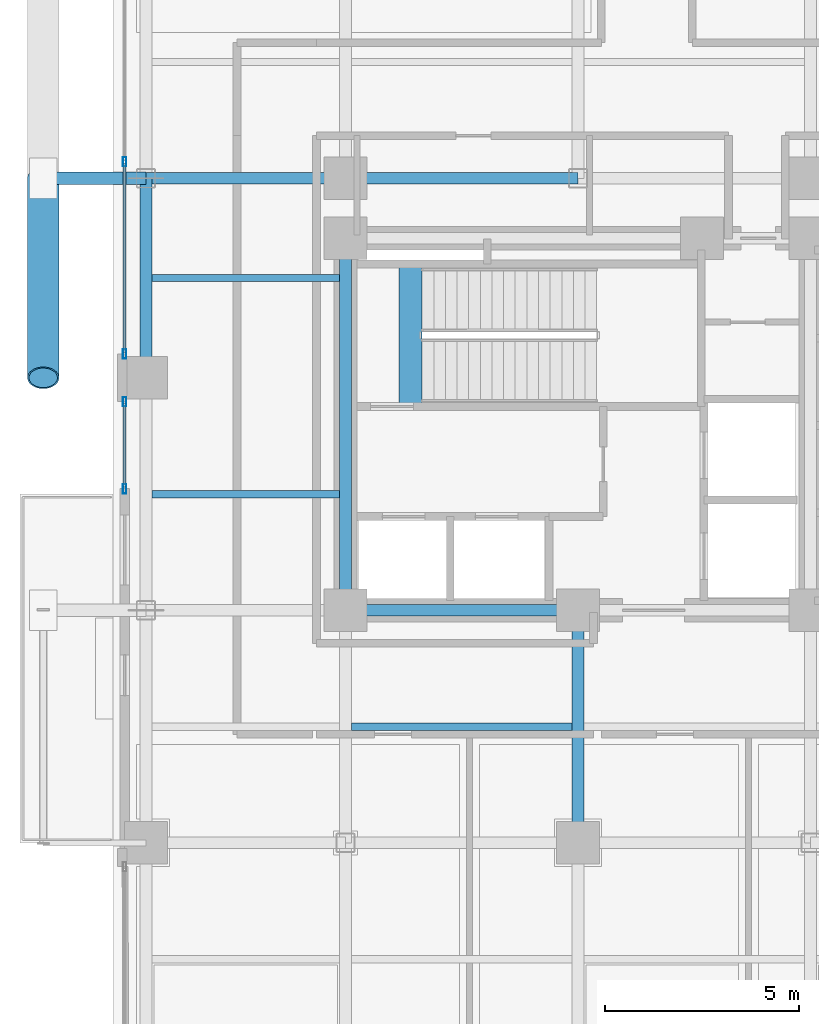
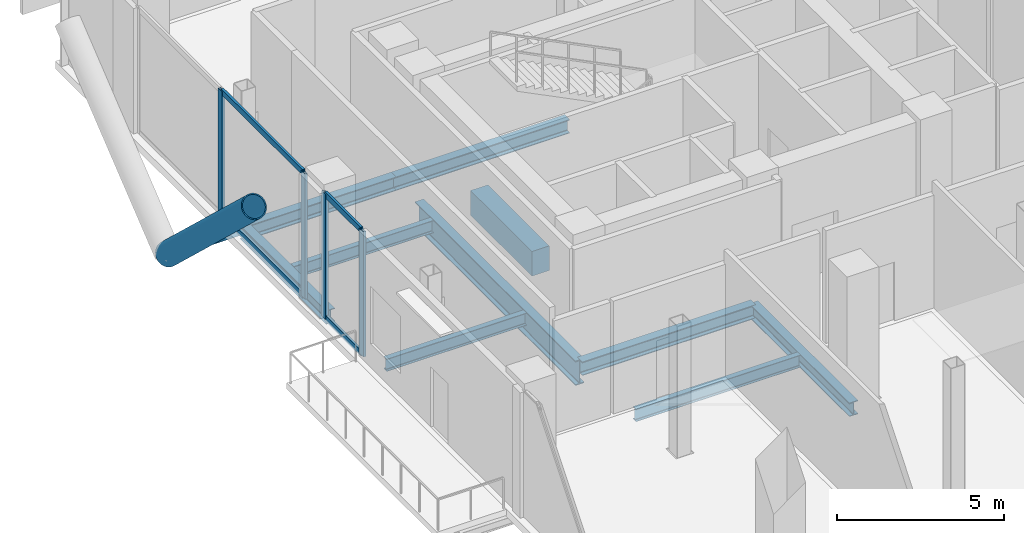
# One storey, part 5 of 25: 10 beams, 10 members, 2 elements without a shape of their own.
"""IFC4 building model written with IfcOpenShell, lengths in metres."""

from ifc_helpers import new_model, si_unit, direction, frame, origin, origin_2d, place, context, subcontext, project, spatial, rectangle, hollow_rectangle, hollow_circle, i_section, extrude, material, layer, layer_set, material_profile, profile_set, type_object, element, aggregate, save


model = new_model("IFC4")

# Units and contexts
model_context = context("Model", 3, precision=1e-05, world=origin(), true_north=direction((0.0, 1.0)))
body_context = subcontext(model_context, "Body", "Model", "MODEL_VIEW")
ifc_project = project(units=[si_unit("LENGTHUNIT", "METRE"), si_unit("AREAUNIT", "SQUARE_METRE"), si_unit("VOLUMEUNIT", "CUBIC_METRE"), si_unit("PLANEANGLEUNIT", "RADIAN"), si_unit("MASSUNIT", "GRAM", prefix="KILO"), si_unit("THERMODYNAMICTEMPERATUREUNIT", "KELVIN"), si_unit("POWERUNIT", "WATT")], contexts=[model_context])

# Site, building, storey
site_placement = place(None, origin())
site = spatial("IfcSite", under=ifc_project, at=site_placement, CompositionType="ELEMENT")
building_placement = place(site_placement, origin())
building = spatial("IfcBuilding", under=site, at=building_placement, Name="Svarakhadi Broadcast Tower", CompositionType="ELEMENT")
storey_placement = place(building_placement, frame((0.0, 0.0, 110.85009765625)))
storey = spatial("IfcBuildingStorey", under=building, at=storey_placement, Name="L26", CompositionType="ELEMENT", Elevation=110.85009765625)

# Beams
ifc_material_1 = material(Name="Steel S355J2 (IS 2062 E350C)", Category="steel")
ifc_material_profile_1 = material_profile(ifc_material_1, i_section(OverallWidth=0.18994140625, OverallDepth=0.449951171875, WebThickness=0.009521484375, FlangeThickness=0.0146484375, FilletRadius=0.02099609375, at=origin_2d()), Name="NPB 450x190x78")
ifc_profile_set_1 = profile_set([ifc_material_profile_1], Name="Steel S355J2 (IS 2062 E350C)")
beam_type_1 = type_object("IfcBeamType", Name="Beam_NPB450", PredefinedType="BEAM", material=ifc_profile_set_1)
for number, where, z_axis, x_axis, name in (
    (1, (1.010009765625, 21.0, -0.5), (1.0, 0.0, 0.0), (0.0, 1.0, 0.0), "L26 Secondary Composite Beam SB003"),
    (2, (1.010009765625, 26.574951171875, -0.5), (1.0, 0.0, 0.0), (0.0, 1.0, 0.0), "L26 Secondary Composite Beam SB004"),
):
    element("IfcBeam", number, at=place(storey_placement, frame(where, z_axis=z_axis, x_axis=x_axis)), inside=storey, type_object=beam_type_1, Name=name, PredefinedType="BEAM", context=body_context, shape_type="SweptSolid", body=[
        extrude(i_section(OverallWidth=0.18994140625, OverallDepth=0.449951171875, WebThickness=0.009521484375, FlangeThickness=0.0146484375, FilletRadius=0.02099609375, at=origin_2d()), origin(), (0.0, 0.0, 1.0), 4.830078125),
    ])
beam_1_placement = place(storey_placement, frame((6.159912109375, 15.0, -0.5), z_axis=(1.0, 0.0, 0.0), x_axis=(0.0, 1.0, 0.0)))
element("IfcBeam", 3, at=beam_1_placement, inside=storey, type_object=beam_type_1, Name="L26 Secondary Composite Beam SB008", PredefinedType="BEAM", context=body_context, shape_type="SweptSolid", body=[
    extrude(i_section(OverallWidth=0.18994140625, OverallDepth=0.449951171875, WebThickness=0.009521484375, FlangeThickness=0.0146484375, FilletRadius=0.02099609375, at=origin_2d()), origin(), (0.0, 0.0, 1.0), 5.68017578125),
])

# Curtain wall, members
ifc_material_2 = material(Name="Anodised Bronze Aluminium AA 6063-T6", Category="aluminium")
ifc_layer = layer(ifc_material_2, 0.239990234375)
ifc_layer_set = layer_set([ifc_layer], Name="Anodised Bronze Aluminium AA 6063-T6")
curtain_wall_type = type_object("IfcCurtainWallType", Name="CW_Sys_06", PredefinedType="NOTDEFINED", material=ifc_layer_set)
curtain_wall_1_placement = place(storey_placement, origin())
curtain_wall_1 = element("IfcCurtainWall", 4, at=curtain_wall_1_placement, inside=storey, type_object=curtain_wall_type, Name="L26 West Curtain Wall 03 Bay 1", PredefinedType="NOTDEFINED")
ifc_material_profile_2 = material_profile(ifc_material_2, hollow_rectangle(XDim=0.090087890625, YDim=0.239990234375, WallThickness=0.006103515625, at=origin_2d()), Name="ALU MULLION 240x90x6")
ifc_profile_set_2 = profile_set([ifc_material_profile_2], Name="Anodised Bronze Aluminium AA 6063-T6")
member_type_1 = type_object("IfcMemberType", Name="CW_Sys_06_Mul", PredefinedType="MULLION", material=ifc_profile_set_2)
member_1_placement = place(storey_placement, frame((0.300048828125, 21.135009765625, 0.0), z_axis=(0.0, 0.0, 1.0), x_axis=(-1.0, 0.0, 0.0)))
member_1 = element("IfcMember", 5, at=member_1_placement, type_object=member_type_1, Name="CW-06 mullion 1", PredefinedType="MULLION", context=body_context, shape_type="SweptSolid", body=[
    extrude(hollow_rectangle(XDim=0.090087890625, YDim=0.239990234375, WallThickness=0.006103515625, at=origin_2d()), origin(), (0.0, 0.0, 1.0), 4.574951171875),
])
member_2_placement = place(storey_placement, frame((0.300048828125, 23.385009765625, 0.0), z_axis=(0.0, 0.0, 1.0), x_axis=(-1.0, 0.0, 0.0)))
member_2 = element("IfcMember", 6, at=member_2_placement, type_object=member_type_1, Name="CW-06 mullion 2", PredefinedType="MULLION", context=body_context, shape_type="SweptSolid", body=[
    extrude(hollow_rectangle(XDim=0.090087890625, YDim=0.239990234375, WallThickness=0.006103515625, at=origin_2d()), origin(), (0.0, 0.0, 1.0), 4.574951171875),
])

curtain_wall_2_placement = place(storey_placement, origin())
curtain_wall_2 = element("IfcCurtainWall", 7, at=curtain_wall_2_placement, inside=storey, type_object=curtain_wall_type, Name="L26 West Curtain Wall 03 Bay 2", PredefinedType="NOTDEFINED")
member_3_placement = place(storey_placement, frame((0.300048828125, 24.614990234375, 0.0), z_axis=(0.0, 0.0, 1.0), x_axis=(-1.0, 0.0, 0.0)))
member_3 = element("IfcMember", 8, at=member_3_placement, type_object=member_type_1, Name="CW-06 mullion 1", PredefinedType="MULLION", context=body_context, shape_type="SweptSolid", body=[
    extrude(hollow_rectangle(XDim=0.090087890625, YDim=0.239990234375, WallThickness=0.006103515625, at=origin_2d()), origin(), (0.0, 0.0, 1.0), 4.574951171875),
])
member_4_placement = place(storey_placement, frame((0.300048828125, 29.574951171875, 0.0), z_axis=(0.0, 0.0, 1.0), x_axis=(-1.0, 0.0, 0.0)))
member_4 = element("IfcMember", 9, at=member_4_placement, type_object=member_type_1, Name="CW-06 mullion 2", PredefinedType="MULLION", context=body_context, shape_type="SweptSolid", body=[
    extrude(hollow_rectangle(XDim=0.090087890625, YDim=0.239990234375, WallThickness=0.006103515625, at=origin_2d()), origin(), (0.0, 0.0, 1.0), 4.574951171875),
])

# Member
ifc_material_profile_3 = material_profile(ifc_material_2, hollow_rectangle(XDim=0.080078125, YDim=0.2099609375, WallThickness=0.0048828125, at=origin_2d()), Name="ALU TRANSOM 210x80x5")
ifc_profile_set_3 = profile_set([ifc_material_profile_3], Name="Anodised Bronze Aluminium AA 6063-T6")
member_type_2 = type_object("IfcMemberType", Name="CW_Sys_06_Trn", PredefinedType="USERDEFINED", material=ifc_profile_set_3)
member_5_placement = place(storey_placement, frame((0.300048828125, 21.179931640625, 0.039794921875), z_axis=(0.0, 1.0, 0.0), x_axis=(-1.0, 0.0, 0.0)))
member_5 = element("IfcMember", 10, at=member_5_placement, type_object=member_type_2, Name="CW-06 transom 1.1", ObjectType="TRANSOM", PredefinedType="USERDEFINED", context=body_context, shape_type="SweptSolid", body=[
    extrude(hollow_rectangle(XDim=0.080078125, YDim=0.2099609375, WallThickness=0.0048828125, at=origin_2d()), origin(), (0.0, 0.0, 1.0), 2.16015625),
])

member_6_placement = place(storey_placement, frame((0.300048828125, 21.179931640625, 4.534912109375), z_axis=(0.0, 1.0, 0.0), x_axis=(-1.0, 0.0, 0.0)))
member_6 = element("IfcMember", 11, at=member_6_placement, type_object=member_type_2, Name="CW-06 transom 1.2", ObjectType="TRANSOM", PredefinedType="USERDEFINED", context=body_context, shape_type="SweptSolid", body=[
    extrude(hollow_rectangle(XDim=0.080078125, YDim=0.2099609375, WallThickness=0.0048828125, at=origin_2d()), origin(), (0.0, 0.0, 1.0), 2.16015625),
])

aggregate(curtain_wall_1, [member_1, member_2, member_5, member_6])

member_7_placement = place(storey_placement, frame((0.300048828125, 24.659912109375, 0.039794921875), z_axis=(0.0, 1.0, 0.0), x_axis=(-1.0, 0.0, 0.0)))
member_7 = element("IfcMember", 12, at=member_7_placement, type_object=member_type_2, Name="CW-06 transom 1.1", ObjectType="TRANSOM", PredefinedType="USERDEFINED", context=body_context, shape_type="SweptSolid", body=[
    extrude(hollow_rectangle(XDim=0.080078125, YDim=0.2099609375, WallThickness=0.0048828125, at=origin_2d()), origin(), (0.0, 0.0, 1.0), 4.8701171875),
])

member_8_placement = place(storey_placement, frame((0.300048828125, 24.659912109375, 4.534912109375), z_axis=(0.0, 1.0, 0.0), x_axis=(-1.0, 0.0, 0.0)))
member_8 = element("IfcMember", 13, at=member_8_placement, type_object=member_type_2, Name="CW-06 transom 1.2", ObjectType="TRANSOM", PredefinedType="USERDEFINED", context=body_context, shape_type="SweptSolid", body=[
    extrude(hollow_rectangle(XDim=0.080078125, YDim=0.2099609375, WallThickness=0.0048828125, at=origin_2d()), origin(), (0.0, 0.0, 1.0), 4.8701171875),
])

aggregate(curtain_wall_2, [member_3, member_4, member_7, member_8])

# Beam
ifc_material_3 = material(Name="Concrete C50/60 (IS 456 M60)", Category="concrete")
ifc_material_profile_4 = material_profile(ifc_material_3, rectangle(XDim=0.60009765625, YDim=0.89990234375, at=origin_2d()), Name="RC 600x900")
ifc_profile_set_4 = profile_set([ifc_material_profile_4], Name="Concrete C50/60 (IS 456 M60)")
beam_type_2 = type_object("IfcBeamType", Name="Coupling_RC600", PredefinedType="USERDEFINED", material=ifc_profile_set_4)
beam_2_placement = place(storey_placement, frame((7.679931640625, 23.260009765625, -0.4501953125), z_axis=(0.0, 1.0, 0.0), x_axis=(-1.0, 0.0, 0.0)))
element("IfcBeam", 14, at=beam_2_placement, inside=storey, type_object=beam_type_2, Name="L26 Stair ST-01 Landing Throat Trimmer Beam CB-01", ObjectType="GIRDER", PredefinedType="USERDEFINED", context=body_context, shape_type="SweptSolid", body=[
    extrude(rectangle(XDim=0.60009765625, YDim=0.89990234375, at=origin_2d()), origin(), (0.0, 0.0, 1.0), 3.679931640625),
])

# Members
ifc_material_4 = material(Name="Steel S460ML (IS 2062 E450BR)", Category="steel")
ifc_material_profile_5 = material_profile(ifc_material_4, hollow_circle(Radius=0.406494140625, WallThickness=0.0400390625, at=origin_2d()), Name="CHS 813x40")
ifc_profile_set_5 = profile_set([ifc_material_profile_5], Name="Steel S460ML (IS 2062 E450BR)")
member_type_3 = type_object("IfcMemberType", Name="Exo_Brace_CHS813", PredefinedType="BRACE", material=ifc_profile_set_5)
member_9_placement = place(storey_placement, frame((-1.800048828125, 29.14990234375, -0.43701171875), z_axis=(0.0, -0.727996308032, 0.685581049543), x_axis=(1.0, 0.0, 0.0)))
element("IfcMember", 15, at=member_9_placement, inside=storey, type_object=member_type_3, Name="L26 Exposed Bronze Exoskeleton Diagonal W04", PredefinedType="BRACE", context=body_context, shape_type="SweptSolid", body=[
    extrude(hollow_circle(Radius=0.406494140625, WallThickness=0.0400390625, at=origin_2d()), origin(), (0.0, 0.0, 1.0), 7.073974609375),
])
ifc_material_profile_6 = material_profile(ifc_material_4, hollow_circle(Radius=0.161865234375, WallThickness=0.01611328125, at=origin_2d()), Name="CHS 323.9x16")
ifc_profile_set_6 = profile_set([ifc_material_profile_6], Name="Steel S460ML (IS 2062 E450BR)")
member_type_4 = type_object("IfcMemberType", Name="Exo_Radial_Strut_Z2", PredefinedType="STRUT", material=ifc_profile_set_6)
member_10_placement = place(storey_placement, frame((-1.800048828125, 29.14990234375, -0.43701171875), z_axis=(1.0, 0.0, 0.0), x_axis=(0.0, 1.0, 0.0)))
element("IfcMember", 16, at=member_10_placement, inside=storey, type_object=member_type_4, Name="L26 Exoskeleton Radial Tie Strut W07", PredefinedType="STRUT", context=body_context, shape_type="SweptSolid", body=[
    extrude(hollow_circle(Radius=0.161865234375, WallThickness=0.01611328125, at=origin_2d()), origin(), (0.0, 0.0, 1.0), 2.650146484375),
])

# Beams
ifc_material_profile_7 = material_profile(ifc_material_1, i_section(OverallWidth=0.300048828125, OverallDepth=0.5, WebThickness=0.014404296875, FlangeThickness=0.028076171875, FilletRadius=0.027099609375, at=origin_2d()), Name="WPB 500x300x187")
ifc_profile_set_7 = profile_set([ifc_material_profile_7], Name="Steel S355J2 (IS 2062 E350C)")
beam_type_3 = type_object("IfcBeamType", Name="Girder_WPB500", PredefinedType="USERDEFINED", material=ifc_profile_set_7)
beam_3_placement = place(storey_placement, frame((6.0, 18.0, -0.525146484375), z_axis=(1.0, 0.0, 0.0), x_axis=(0.0, 1.0, 0.0)))
element("IfcBeam", 17, at=beam_3_placement, inside=storey, type_object=beam_type_3, Name="L26 Primary E-W Girder G024", ObjectType="GIRDER", PredefinedType="USERDEFINED", context=body_context, shape_type="SweptSolid", body=[
    extrude(i_section(OverallWidth=0.300048828125, OverallDepth=0.5, WebThickness=0.014404296875, FlangeThickness=0.028076171875, FilletRadius=0.027099609375, at=origin_2d()), origin(), (0.0, 0.0, 1.0), 6.0),
])
beam_4_placement = place(storey_placement, frame((0.85009765625, 29.14990234375, -0.525146484375), z_axis=(1.0, 0.0, 0.0), x_axis=(0.0, 1.0, 0.0)))
element("IfcBeam", 18, at=beam_4_placement, inside=storey, type_object=beam_type_3, Name="L26 Primary E-W Girder G032", ObjectType="GIRDER", PredefinedType="USERDEFINED", context=body_context, shape_type="SweptSolid", body=[
    extrude(i_section(OverallWidth=0.300048828125, OverallDepth=0.5, WebThickness=0.014404296875, FlangeThickness=0.028076171875, FilletRadius=0.027099609375, at=origin_2d()), origin(), (0.0, 0.0, 1.0), 5.14990234375),
])
beam_5_placement = place(storey_placement, frame((6.0, 29.14990234375, -0.525146484375), z_axis=(1.0, 0.0, 0.0), x_axis=(0.0, 1.0, 0.0)))
element("IfcBeam", 19, at=beam_5_placement, inside=storey, type_object=beam_type_3, Name="L26 Primary E-W Girder G033", ObjectType="GIRDER", PredefinedType="USERDEFINED", context=body_context, shape_type="SweptSolid", body=[
    extrude(i_section(OverallWidth=0.300048828125, OverallDepth=0.5, WebThickness=0.014404296875, FlangeThickness=0.028076171875, FilletRadius=0.027099609375, at=origin_2d()), origin(), (0.0, 0.0, 1.0), 6.0),
])
beam_6_placement = place(storey_placement, frame((0.85009765625, 24.0, -0.525146484375), z_axis=(0.0, 1.0, 0.0), x_axis=(-1.0, 0.0, 0.0)))
element("IfcBeam", 20, at=beam_6_placement, inside=storey, type_object=beam_type_3, Name="L26 Primary N-S Girder G043", ObjectType="GIRDER", PredefinedType="USERDEFINED", context=body_context, shape_type="SweptSolid", body=[
    extrude(i_section(OverallWidth=0.300048828125, OverallDepth=0.5, WebThickness=0.014404296875, FlangeThickness=0.028076171875, FilletRadius=0.027099609375, at=origin_2d()), origin(), (0.0, 0.0, 1.0), 5.14990234375),
])
beam_7_placement = place(storey_placement, frame((12.0, 12.0, -0.525146484375), z_axis=(0.0, 1.0, 0.0), x_axis=(-1.0, 0.0, 0.0)))
element("IfcBeam", 21, at=beam_7_placement, inside=storey, type_object=beam_type_3, Name="L26 Primary N-S Girder G053", ObjectType="GIRDER", PredefinedType="USERDEFINED", context=body_context, shape_type="SweptSolid", body=[
    extrude(i_section(OverallWidth=0.300048828125, OverallDepth=0.5, WebThickness=0.014404296875, FlangeThickness=0.028076171875, FilletRadius=0.027099609375, at=origin_2d()), origin(), (0.0, 0.0, 1.0), 6.0),
])
ifc_material_profile_8 = material_profile(ifc_material_4, i_section(OverallWidth=0.300048828125, OverallDepth=0.89990234375, WebThickness=0.0185546875, FlangeThickness=0.034912109375, FilletRadius=0.030029296875, at=origin_2d()), Name="WPB 900x300x291")
ifc_profile_set_8 = profile_set([ifc_material_profile_8], Name="Steel S460ML (IS 2062 E450BR)")
beam_type_4 = type_object("IfcBeamType", Name="Girder_WPB900", PredefinedType="USERDEFINED", material=ifc_profile_set_8)
beam_8_placement = place(storey_placement, frame((6.0, 18.0, -0.72509765625), z_axis=(0.0, 1.0, 0.0), x_axis=(-1.0, 0.0, 0.0)))
element("IfcBeam", 22, at=beam_8_placement, inside=storey, type_object=beam_type_4, Name="L26 Primary N-S Girder G048", ObjectType="GIRDER", PredefinedType="USERDEFINED", context=body_context, shape_type="SweptSolid", body=[
    extrude(i_section(OverallWidth=0.300048828125, OverallDepth=0.89990234375, WebThickness=0.0185546875, FlangeThickness=0.034912109375, FilletRadius=0.030029296875, at=origin_2d()), origin(), (0.0, 0.0, 1.0), 9.60009765625),
])

save(model, "model.ifc")
